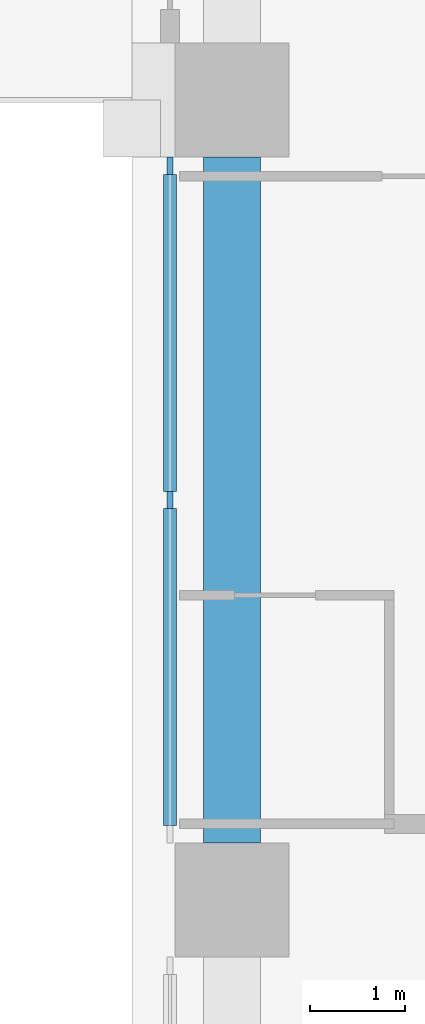
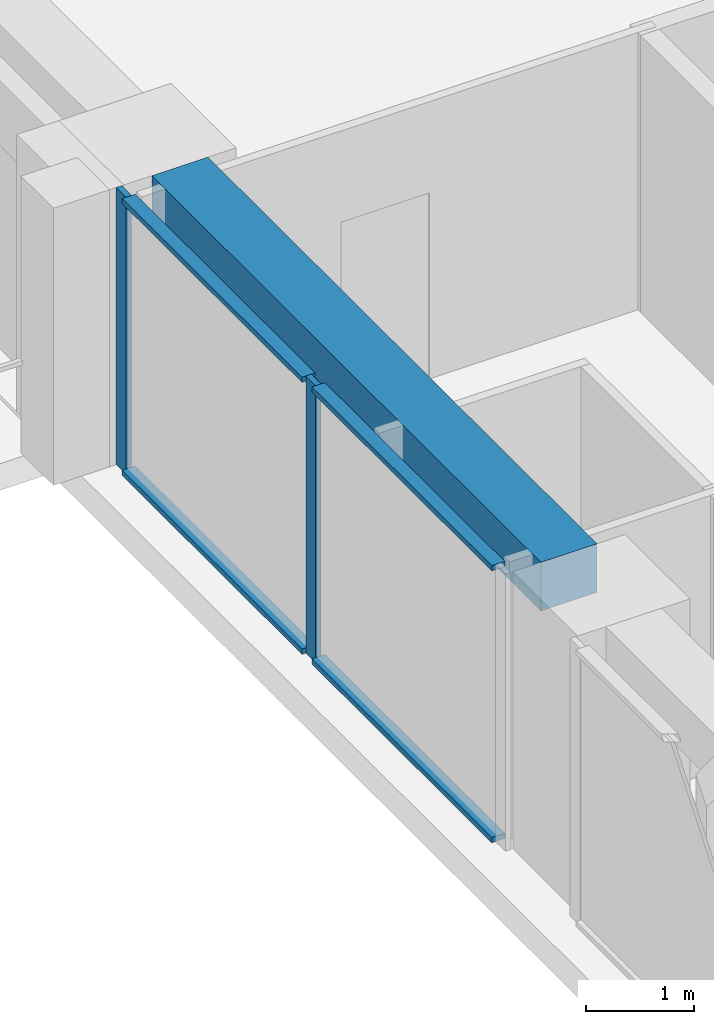
# One storey, part 3 of 17: 6 members, 1 beam, 1 element without a shape of its own.
"""IFC4 building model written with IfcOpenShell, lengths in metres."""

import ifcopenshell
import ifcopenshell.guid

model = None  # the IFC model being written
_history = None  # IfcOwnerHistory: only IFC2X3 demands one
_inside = {}  # id of a spatial element -> (the spatial element, [elements in it])
_under = {}  # id of a project, library or spatial element -> (it, [spatial elements below it])
_declared = {}  # id of a project -> (the project, [libraries it declares])
_typed = {}  # id of a type object -> (the type object, [elements of that type])
_made_of = {}  # id of a material, layer set ... -> (it, [elements and type objects made of it])


def new_model(schema):
    """Start an empty IFC model of exactly this schema.

    Asked for "IFC4X3", IfcOpenShell would pick the latest addendum, in which some entities
    have other attributes; the version numbers below select the first issue.
    IFC2X3 requires an IfcOwnerHistory on every rooted entity: one is made here for all.
    """
    global model, _history
    if schema == "IFC4X3":
        model = ifcopenshell.file(schema_version=(4, 3, 0, 0))
    else:
        model = ifcopenshell.file(schema=schema)
    _inside.clear()
    _under.clear()
    _declared.clear()
    _typed.clear()
    _made_of.clear()
    _history = None
    if model.schema == "IFC2X3":
        org = make("IfcOrganization", Name="unknown")
        user = make(
            "IfcPersonAndOrganization",
            ThePerson=make("IfcPerson", FamilyName="unknown"),
            TheOrganization=org,
        )
        app = make(
            "IfcApplication",
            ApplicationDeveloper=org,
            Version="unknown",
            ApplicationFullName="unknown",
            ApplicationIdentifier="unknown",
        )
        _history = make(
            "IfcOwnerHistory",
            OwningUser=user,
            OwningApplication=app,
            ChangeAction="ADDED",
            CreationDate=0,
        )
    return model


def make(cls, **values):
    """One entity of the class cls with the attributes given. An attribute that is None is left unset."""
    return model.create_entity(
        cls, **{name: value for name, value in values.items() if value is not None}
    )


def rooted(cls, **values):
    """An entity with a GlobalId (a new one), such as an element, a storey or a relation."""
    return make(cls, GlobalId=ifcopenshell.guid.new(), OwnerHistory=_history, **values)


def si_unit(unit_type, name, prefix=None):
    """IfcSIUnit, for example si_unit("LENGTHUNIT", "METRE", prefix="MILLI")."""
    return make("IfcSIUnit", UnitType=unit_type, Prefix=prefix, Name=name)


def assignment(units):
    """IfcUnitAssignment: the units of a project."""
    return None if units is None else make("IfcUnitAssignment", Units=units)


def point(xyz):
    """IfcCartesianPoint."""
    return None if xyz is None else make("IfcCartesianPoint", Coordinates=xyz)


def direction(xyz):
    """IfcDirection."""
    return None if xyz is None else make("IfcDirection", DirectionRatios=xyz)


def frame(location, z_axis=None, x_axis=None):
    """IfcAxis2Placement3D, a coordinate frame: its origin and axes. An axis left out is left unset."""
    return make(
        "IfcAxis2Placement3D",
        Location=point(location),
        Axis=direction(z_axis),
        RefDirection=direction(x_axis),
    )


def frame_2d(location, x_axis=None):
    """IfcAxis2Placement2D, a coordinate frame in the plane: its origin and x axis."""
    return make(
        "IfcAxis2Placement2D", Location=point(location), RefDirection=direction(x_axis)
    )


def origin():
    """The frame at (0, 0, 0) with its axes left unset."""
    return frame((0.0, 0.0, 0.0))


def origin_2d():
    """The frame at (0, 0) in the plane with its x axis left unset."""
    return frame_2d((0.0, 0.0))


def place(relative_to, where):
    """IfcLocalPlacement: puts the frame where relative to a parent placement (None: the world)."""
    return make(
        "IfcLocalPlacement", PlacementRelTo=relative_to, RelativePlacement=where
    )


def context(
    kind, dimensions, precision=None, world=None, true_north=None, identifier=None
):
    """IfcGeometricRepresentationContext, for example the 3D "Model" context."""
    return make(
        "IfcGeometricRepresentationContext",
        ContextIdentifier=identifier,
        ContextType=kind,
        CoordinateSpaceDimension=dimensions,
        Precision=precision,
        WorldCoordinateSystem=world,
        TrueNorth=true_north,
    )


def subcontext(parent, identifier, kind, view, scale=None):
    """IfcGeometricRepresentationSubContext, for example "Body" below "Model"."""
    return make(
        "IfcGeometricRepresentationSubContext",
        ContextIdentifier=identifier,
        ContextType=kind,
        ParentContext=parent,
        TargetScale=scale,
        TargetView=view,
    )


def project(units=None, contexts=None):
    """IfcProject with its units and contexts."""
    return rooted(
        "IfcProject",
        Name="project",
        RepresentationContexts=contexts,
        UnitsInContext=assignment(units),
    )


def spatial(cls, under=None, at=None, **own):
    """A site, building, storey or space (cls), placed at a placement, below another one or the project."""
    s = rooted(cls, ObjectPlacement=at, **own)
    if under is not None:
        _under.setdefault(under.id(), (under, []))[1].append(s)
    return s


def profile(cls, at=None, kind="AREA", **sizes):
    """A parametric profile (cls). Its sizes go by their IFC names, for example OverallWidth=200.0."""
    return make(cls, ProfileType=kind, Position=at, **sizes)


def rectangle(**sizes):
    """IfcRectangleProfileDef."""
    return profile("IfcRectangleProfileDef", **sizes)


def extrude(swept, where, along, depth):
    """IfcExtrudedAreaSolid: the profile swept, set in the frame where, extruded along a direction by depth."""
    return make(
        "IfcExtrudedAreaSolid",
        SweptArea=swept,
        Position=where,
        ExtrudedDirection=direction(along),
        Depth=depth,
    )


def shape(context_of_items, identifier, shape_type, items):
    """IfcShapeRepresentation: the items that make up one representation, for example the "Body"."""
    return make(
        "IfcShapeRepresentation",
        ContextOfItems=context_of_items,
        RepresentationIdentifier=identifier,
        RepresentationType=shape_type,
        Items=items,
    )


def material(Name=None, Category=None):
    """IfcMaterial."""
    return make("IfcMaterial", Name=Name, Category=Category)


def material_profile(
    of_material, cross_section, Name=None, Category=None, Priority=None
):
    """IfcMaterialProfile: a cross section and its material."""
    return make(
        "IfcMaterialProfile",
        Name=Name,
        Material=of_material,
        Profile=cross_section,
        Priority=Priority,
        Category=Category,
    )


def profile_set(profiles, Name=None, composite=None):
    """IfcMaterialProfileSet."""
    return make(
        "IfcMaterialProfileSet",
        Name=Name,
        MaterialProfiles=profiles,
        CompositeProfile=composite,
    )


def made_of(thing, what):
    """Note that an element or type object is made of a material, layer set ...; save() writes the relation."""
    if what is not None:
        _made_of.setdefault(what.id(), (what, []))[1].append(thing)
    return thing


def type_object(cls, material=None, **own):
    """A type object (cls), such as IfcWallType, which elements share."""
    return made_of(rooted(cls, **own), material)


def element(
    cls,
    number,
    at=None,
    inside=None,
    cuts=None,
    type_object=None,
    material=None,
    context=None,
    identifier="Body",
    shape_type=None,
    held_by="IfcProductDefinitionShape",
    body=None,
    shapes=None,
    **own,
):
    """One element of the class cls, such as IfcWall. Its Tag is "e" and its number.

    at: its placement. inside: the storey or other place that contains it. cuts: it is an
    opening in that element (IfcRelVoidsElement). A single representation is given by context,
    identifier, shape_type and body (its items); several are given by shapes. held_by: the class
    of the entity that holds the representations. save() writes the other relations.
    """
    e = rooted(cls, Tag="e%d" % number, ObjectPlacement=at, **own)
    if body is not None:
        shapes = [shape(context, identifier, shape_type, body)]
    if shapes is not None:
        e.Representation = make(held_by, Representations=shapes)
    if inside is not None:
        _inside.setdefault(inside.id(), (inside, []))[1].append(e)
    if cuts is not None:
        rooted(
            "IfcRelVoidsElement", RelatingBuildingElement=cuts, RelatedOpeningElement=e
        )
    if type_object is not None:
        _typed.setdefault(type_object.id(), (type_object, []))[1].append(e)
    return made_of(e, material)


def aggregate(whole, parts):
    """IfcRelAggregates: a whole, such as a stair, and the parts it consists of."""
    return rooted("IfcRelAggregates", RelatingObject=whole, RelatedObjects=parts)


def save(model, path):
    """Write the relations noted so far, then the file.

    IfcRelAggregates (storeys below a building ...), IfcRelContainedInSpatialStructure (elements
    in a storey), IfcRelDefinesByType, IfcRelAssociatesMaterial and IfcRelDeclares: one each for
    every whole, place, type object, material and project.
    """
    for whole, parts in _under.values():
        aggregate(whole, parts)
    for where, things in _inside.values():
        rooted(
            "IfcRelContainedInSpatialStructure",
            RelatedElements=things,
            RelatingStructure=where,
        )
    for kind, things in _typed.values():
        rooted("IfcRelDefinesByType", RelatedObjects=things, RelatingType=kind)
    for what, things in _made_of.values():
        rooted("IfcRelAssociatesMaterial", RelatedObjects=things, RelatingMaterial=what)
    for by, libraries in _declared.values():
        rooted("IfcRelDeclares", RelatingContext=by, RelatedDefinitions=libraries)
    model.write(path)


model = new_model("IFC4")

# Units and contexts
model_context = context("Model", 3, precision=1e-05, world=origin(), true_north=direction((0.0, 1.0)))
body_context = subcontext(model_context, "Body", "Model", "MODEL_VIEW")
ifc_project = project(units=[si_unit("LENGTHUNIT", "METRE"), si_unit("AREAUNIT", "SQUARE_METRE"), si_unit("VOLUMEUNIT", "CUBIC_METRE"), si_unit("PLANEANGLEUNIT", "RADIAN"), si_unit("MASSUNIT", "GRAM", prefix="KILO")], contexts=[model_context])

# Site, building, storey
site_placement = place(None, origin())
site = spatial("IfcSite", under=ifc_project, at=site_placement, CompositionType="ELEMENT")
building_placement = place(site_placement, origin())
building = spatial("IfcBuilding", under=site, at=building_placement, Name="Vermilion Ogive Tower", CompositionType="ELEMENT")
storey_placement = place(building_placement, frame((0.0, 0.0, 83.85009765625)))
storey = spatial("IfcBuildingStorey", under=building, at=storey_placement, Name="L20", CompositionType="ELEMENT", Elevation=83.85009765625)

# Curtain wall, members
ifc_material_1 = material(Name="Low-iron laminated glazing in aluminium frame", Category="aluminium")
curtain_wall_type = type_object("IfcCurtainWallType", Name="Curtain wall CW7", PredefinedType="NOTDEFINED", material=ifc_material_1)
curtain_wall_placement = place(storey_placement, origin())
curtain_wall = element("IfcCurtainWall", 1, at=curtain_wall_placement, inside=storey, type_object=curtain_wall_type, Name="Glazed skin W2", PredefinedType="NOTDEFINED")
ifc_material_2 = material(Name="Aluminium mullion", Category="aluminium")
ifc_material_profile_1 = material_profile(ifc_material_2, rectangle(XDim=0.06005859375, YDim=0.179931640625, at=origin_2d()), Name="AL 60x180")
ifc_profile_set_1 = profile_set([ifc_material_profile_1], Name="Aluminium mullion")
member_type_1 = type_object("IfcMemberType", Name="CW7 mullion 60x180", PredefinedType="MULLION", material=ifc_profile_set_1)
member_1_placement = place(storey_placement, frame((-25.85009765625, 3.510009765625, 0.0), z_axis=(0.0, 0.0, 1.0), x_axis=(1.0, 0.0, 0.0)))
member_1 = element("IfcMember", 2, at=member_1_placement, type_object=member_type_1, Name="CW7-W2 mullion 1", PredefinedType="MULLION", context=body_context, shape_type="SweptSolid", body=[
    extrude(rectangle(XDim=0.06005859375, YDim=0.179931640625, at=origin_2d()), origin(), (0.0, 0.0, 1.0), 3.1298828125),
])
member_2_placement = place(storey_placement, frame((-25.85009765625, 0.0, 0.0), z_axis=(0.0, 0.0, 1.0), x_axis=(1.0, 0.0, 0.0)))
member_2 = element("IfcMember", 3, at=member_2_placement, type_object=member_type_1, Name="CW7-W2 mullion 2", PredefinedType="MULLION", context=body_context, shape_type="SweptSolid", body=[
    extrude(rectangle(XDim=0.06005859375, YDim=0.179931640625, at=origin_2d()), origin(), (0.0, 0.0, 1.0), 3.1298828125),
])
ifc_material_3 = material(Name="Aluminium transom", Category="aluminium")
ifc_material_profile_2 = material_profile(ifc_material_3, rectangle(XDim=0.139892578125, YDim=0.06005859375, at=origin_2d()), Name="AL 60x140")
ifc_profile_set_2 = profile_set([ifc_material_profile_2], Name="Aluminium transom")
member_type_2 = type_object("IfcMemberType", Name="CW7 transom 60x140", PredefinedType="USERDEFINED", material=ifc_profile_set_2)
member_3_placement = place(storey_placement, frame((-25.85009765625, 3.419921875, 0.02978515625), z_axis=(0.0, -1.0, 0.0), x_axis=(1.0, 0.0, 0.0)))
member_3 = element("IfcMember", 4, at=member_3_placement, type_object=member_type_2, Name="CW7-W2 transom 1.1", ObjectType="TRANSOM", PredefinedType="USERDEFINED", context=body_context, shape_type="SweptSolid", body=[
    extrude(rectangle(XDim=0.139892578125, YDim=0.06005859375, at=origin_2d()), origin(), (0.0, 0.0, 1.0), 3.329833984375),
])
member_4_placement = place(storey_placement, frame((-25.85009765625, 3.419921875, 3.099853515625), z_axis=(0.0, -1.0, 0.0), x_axis=(1.0, 0.0, 0.0)))
member_4 = element("IfcMember", 5, at=member_4_placement, type_object=member_type_2, Name="CW7-W2 transom 1.2", ObjectType="TRANSOM", PredefinedType="USERDEFINED", context=body_context, shape_type="SweptSolid", body=[
    extrude(rectangle(XDim=0.139892578125, YDim=0.06005859375, at=origin_2d()), origin(), (0.0, 0.0, 1.0), 3.329833984375),
])
member_5_placement = place(storey_placement, frame((-25.85009765625, -0.090087890625, 0.02978515625), z_axis=(0.0, -1.0, 0.0), x_axis=(1.0, 0.0, 0.0)))
member_5 = element("IfcMember", 6, at=member_5_placement, type_object=member_type_2, Name="CW7-W2 transom 2.1", ObjectType="TRANSOM", PredefinedType="USERDEFINED", context=body_context, shape_type="SweptSolid", body=[
    extrude(rectangle(XDim=0.139892578125, YDim=0.06005859375, at=origin_2d()), origin(), (0.0, 0.0, 1.0), 3.329833984375),
])
member_6_placement = place(storey_placement, frame((-25.85009765625, -0.090087890625, 3.099853515625), z_axis=(0.0, -1.0, 0.0), x_axis=(1.0, 0.0, 0.0)))
member_6 = element("IfcMember", 7, at=member_6_placement, type_object=member_type_2, Name="CW7-W2 transom 2.2", ObjectType="TRANSOM", PredefinedType="USERDEFINED", context=body_context, shape_type="SweptSolid", body=[
    extrude(rectangle(XDim=0.139892578125, YDim=0.06005859375, at=origin_2d()), origin(), (0.0, 0.0, 1.0), 3.329833984375),
])
aggregate(curtain_wall, [member_1, member_2, member_3, member_4, member_5, member_6])

# Beam
ifc_material_4 = material(Name="Concrete B45", Category="concrete")
ifc_material_profile_3 = material_profile(ifc_material_4, rectangle(XDim=0.60009765625, YDim=0.550048828125, at=origin_2d()), Name="600 x 550")
ifc_profile_set_3 = profile_set([ifc_material_profile_3], Name="Concrete B45")
beam_type = type_object("IfcBeamType", Name="Edge beam 600 x 550 B45", PredefinedType="BEAM", material=ifc_profile_set_3)
beam_placement = place(storey_placement, frame((-25.199951171875, 3.60009765625, 2.85498046875), z_axis=(0.0, -1.0, 0.0), x_axis=(1.0, 0.0, 0.0)))
element("IfcBeam", 8, at=beam_placement, inside=storey, type_object=beam_type, Name="L20-EB-15", PredefinedType="BEAM", context=body_context, shape_type="SweptSolid", body=[
    extrude(rectangle(XDim=0.60009765625, YDim=0.550048828125, at=origin_2d()), origin(), (0.0, 0.0, 1.0), 7.2001953125),
])

save(model, "model.ifc")
